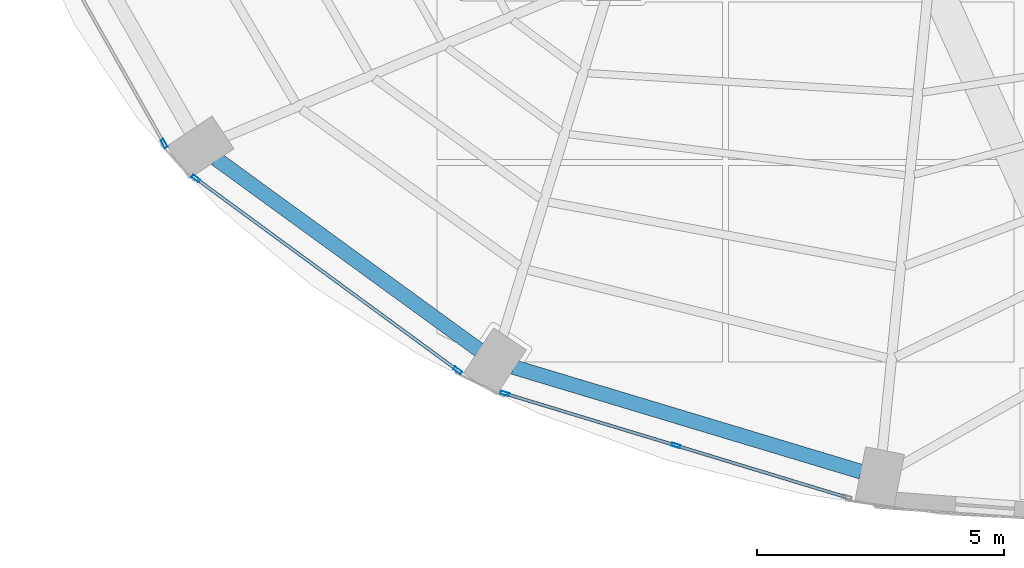
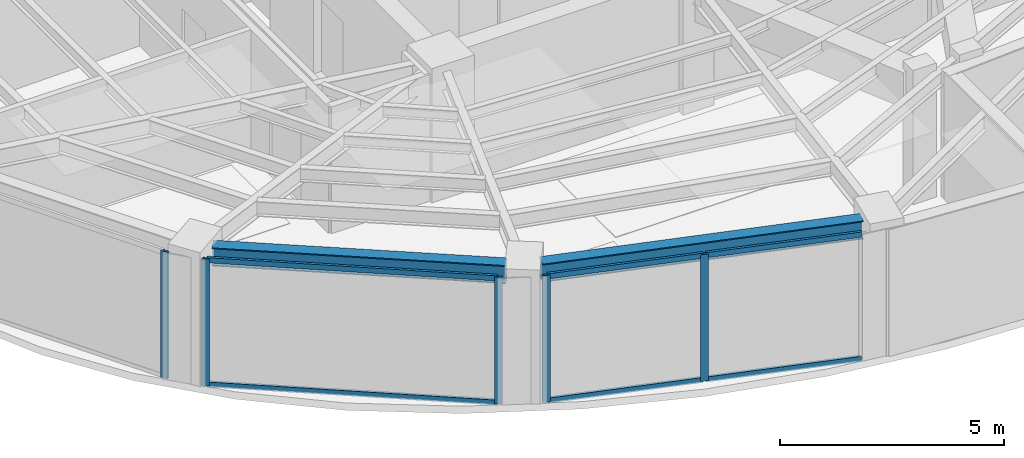
# One storey, part 2 of 23: 11 members, 2 beams, 3 elements without a shape of their own.
"""IFC4 building model written with IfcOpenShell, lengths in metres."""

from ifc_helpers import new_model, si_unit, direction, frame, origin, origin_2d, place, context, subcontext, project, spatial, hollow_rectangle, i_section, extrude, material, layer, layer_set, material_profile, profile_set, type_object, element, aggregate, save


model = new_model("IFC4")

# Units and contexts
model_context = context("Model", 3, precision=1e-05, world=origin(), true_north=direction((0.0, 1.0)))
body_context = subcontext(model_context, "Body", "Model", "MODEL_VIEW")
ifc_project = project(units=[si_unit("LENGTHUNIT", "METRE"), si_unit("AREAUNIT", "SQUARE_METRE"), si_unit("VOLUMEUNIT", "CUBIC_METRE"), si_unit("PLANEANGLEUNIT", "RADIAN"), si_unit("MASSUNIT", "GRAM", prefix="KILO")], contexts=[model_context])

# Site, building, storey
site_placement = place(None, origin())
site = spatial("IfcSite", under=ifc_project, at=site_placement, CompositionType="ELEMENT")
building_placement = place(site_placement, origin())
building = spatial("IfcBuilding", under=site, at=building_placement, Name="Lazwardi Medical Tower", CompositionType="ELEMENT")
storey_placement = place(building_placement, frame((0.0, 0.0, 231.31201171875)))
storey = spatial("IfcBuildingStorey", under=building, at=storey_placement, Name="L60", CompositionType="ELEMENT", Elevation=231.31201171875)

# Beams
ifc_material_1 = material(Name="Steel S355", Category="steel")
ifc_material_profile_1 = material_profile(ifc_material_1, i_section(OverallWidth=0.300048828125, OverallDepth=0.5, WebThickness=0.014404296875, FlangeThickness=0.028076171875, at=origin_2d()), Name="HEB 500")
ifc_profile_set_1 = profile_set([ifc_material_profile_1], Name="Steel S355")
beam_type = type_object("IfcBeamType", Name="BM-RB-Z4", PredefinedType="BEAM", material=ifc_profile_set_1)
beam_1_placement = place(storey_placement, frame((18.355712890625, 16.648193359375, 3.197998046875), z_axis=(0.808889916254, -0.587960120571, 0.0), x_axis=(0.587960120571, 0.808889916254, 0.0)))
element("IfcBeam", 1, at=beam_1_placement, inside=storey, type_object=beam_type, Name="Ring beam RB-05 B14 L60", PredefinedType="BEAM", context=body_context, shape_type="SweptSolid", body=[
    extrude(i_section(OverallWidth=0.300048828125, OverallDepth=0.5, WebThickness=0.014404296875, FlangeThickness=0.028076171875, at=origin_2d()), origin(), (0.0, 0.0, 1.0), 6.587158203125),
])
beam_2_placement = place(storey_placement, frame((24.373046875, 12.43359375, 3.197998046875), z_axis=(0.957544311906, -0.288286126506, 0.0), x_axis=(0.288286126506, 0.957544311906, 0.0)))
element("IfcBeam", 2, at=beam_2_placement, inside=storey, type_object=beam_type, Name="Ring beam RB-05 B15 L60", PredefinedType="BEAM", context=body_context, shape_type="SweptSolid", body=[
    extrude(i_section(OverallWidth=0.300048828125, OverallDepth=0.5, WebThickness=0.014404296875, FlangeThickness=0.028076171875, at=origin_2d()), origin(), (0.0, 0.0, 1.0), 7.3515625),
])

# Curtain wall, member
ifc_material_2 = material(Name="Anodised bronze aluminium and solar control glazing", Category="aluminium")
ifc_layer = layer(ifc_material_2, 0.18994140625)
ifc_layer_set = layer_set([ifc_layer], Name="Anodised bronze aluminium and solar control glazing")
curtain_wall_type = type_object("IfcCurtainWallType", Name="CW-SYS-04", PredefinedType="NOTDEFINED", material=ifc_layer_set)
curtain_wall_1_placement = place(storey_placement, origin())
curtain_wall_1 = element("IfcCurtainWall", 3, at=curtain_wall_1_placement, inside=storey, type_object=curtain_wall_type, Name="L60 Unitised bronze curtain wall CW-04", PredefinedType="NOTDEFINED")
ifc_material_3 = material(Name="Anodised bronze aluminium", Category="aluminium")
ifc_material_profile_2 = material_profile(ifc_material_3, hollow_rectangle(XDim=0.06494140625, YDim=0.179931640625, WallThickness=0.00390625, at=origin_2d()), Name="ALU-MULLION 180x65x4")
ifc_profile_set_2 = profile_set([ifc_material_profile_2], Name="Anodised bronze aluminium")
member_type_1 = type_object("IfcMemberType", Name="CW-MUL-03", PredefinedType="MULLION", material=ifc_profile_set_2)
member_1_placement = place(storey_placement, frame((17.3056640625, 16.95458984375, 0.0), z_axis=(0.0, 0.0, 1.0), x_axis=(0.870651436011, 0.491900474661, 0.0)))
member_1 = element("IfcMember", 4, at=member_1_placement, type_object=member_type_1, Name="CW-04 mullion 2", PredefinedType="MULLION", context=body_context, shape_type="SweptSolid", body=[
    extrude(hollow_rectangle(XDim=0.06494140625, YDim=0.179931640625, WallThickness=0.00390625, at=origin_2d()), origin(), (0.0, 0.0, 1.0), 3.447998046875),
])
aggregate(curtain_wall_1, [member_1])

# Curtain wall, members
curtain_wall_2_placement = place(storey_placement, origin())
curtain_wall_2 = element("IfcCurtainWall", 5, at=curtain_wall_2_placement, inside=storey, type_object=curtain_wall_type, Name="L60 Unitised bronze curtain wall CW-04", PredefinedType="NOTDEFINED")
member_2_placement = place(storey_placement, frame((17.947998046875, 16.248291015625, 0.0), z_axis=(0.0, 0.0, 1.0), x_axis=(0.591268230971, 0.806474971121, 0.0)))
member_2 = element("IfcMember", 6, at=member_2_placement, type_object=member_type_1, Name="CW-04 mullion 1", PredefinedType="MULLION", context=body_context, shape_type="SweptSolid", body=[
    extrude(hollow_rectangle(XDim=0.06494140625, YDim=0.179931640625, WallThickness=0.00390625, at=origin_2d()), origin(), (0.0, 0.0, 1.0), 3.447998046875),
])
member_3_placement = place(storey_placement, frame((23.24462890625, 12.365234375, 0.0), z_axis=(0.0, 0.0, 1.0), x_axis=(0.591268230971, 0.806474971121, 0.0)))
member_3 = element("IfcMember", 7, at=member_3_placement, type_object=member_type_1, Name="CW-04 mullion 2", PredefinedType="MULLION", context=body_context, shape_type="SweptSolid", body=[
    extrude(hollow_rectangle(XDim=0.06494140625, YDim=0.179931640625, WallThickness=0.00390625, at=origin_2d()), origin(), (0.0, 0.0, 1.0), 3.447998046875),
])

curtain_wall_3_placement = place(storey_placement, origin())
curtain_wall_3 = element("IfcCurtainWall", 8, at=curtain_wall_3_placement, inside=storey, type_object=curtain_wall_type, Name="L60 Unitised bronze curtain wall CW-04", PredefinedType="NOTDEFINED")
member_4_placement = place(storey_placement, frame((24.2001953125, 11.896484375, 0.0), z_axis=(0.0, 0.0, 1.0), x_axis=(0.290581889515, 0.956850126972, 0.0)))
member_4 = element("IfcMember", 9, at=member_4_placement, type_object=member_type_1, Name="CW-04 mullion 1", PredefinedType="MULLION", context=body_context, shape_type="SweptSolid", body=[
    extrude(hollow_rectangle(XDim=0.06494140625, YDim=0.179931640625, WallThickness=0.00390625, at=origin_2d()), origin(), (0.0, 0.0, 1.0), 3.447998046875),
])
member_5_placement = place(storey_placement, frame((27.66357421875, 10.8447265625, 0.0), z_axis=(0.0, 0.0, 1.0), x_axis=(0.290581889515, 0.956850126972, 0.0)))
member_5 = element("IfcMember", 10, at=member_5_placement, type_object=member_type_1, Name="CW-04 mullion 2", PredefinedType="MULLION", context=body_context, shape_type="SweptSolid", body=[
    extrude(hollow_rectangle(XDim=0.06494140625, YDim=0.179931640625, WallThickness=0.00390625, at=origin_2d()), origin(), (0.0, 0.0, 1.0), 3.447998046875),
])

# Member
ifc_material_profile_3 = material_profile(ifc_material_3, hollow_rectangle(XDim=0.06494140625, YDim=0.139892578125, WallThickness=0.00341796875, at=origin_2d()), Name="ALU-TRANSOM 140x65x3.5")
ifc_profile_set_3 = profile_set([ifc_material_profile_3], Name="Anodised bronze aluminium")
member_type_2 = type_object("IfcMemberType", Name="CW-TRN-03", PredefinedType="USERDEFINED", material=ifc_profile_set_3)
member_6_placement = place(storey_placement, frame((17.97412109375, 16.229248046875, 0.032470703125), z_axis=(0.806471831148, -0.591272513791, 0.0), x_axis=(0.591272513791, 0.806471831148, 0.0)))
member_6 = element("IfcMember", 11, at=member_6_placement, type_object=member_type_2, Name="CW-04 transom 1.1", ObjectType="TRANSOM", PredefinedType="USERDEFINED", context=body_context, shape_type="SweptSolid", body=[
    extrude(hollow_rectangle(XDim=0.06494140625, YDim=0.139892578125, WallThickness=0.00341796875, at=origin_2d()), origin(), (0.0, 0.0, 1.0), 6.5029296875),
])

member_7_placement = place(storey_placement, frame((17.97412109375, 16.229248046875, 3.41552734375), z_axis=(0.806471831148, -0.591272513791, 0.0), x_axis=(0.591272513791, 0.806471831148, 0.0)))
member_7 = element("IfcMember", 12, at=member_7_placement, type_object=member_type_2, Name="CW-04 transom 1.2", ObjectType="TRANSOM", PredefinedType="USERDEFINED", context=body_context, shape_type="SweptSolid", body=[
    extrude(hollow_rectangle(XDim=0.06494140625, YDim=0.139892578125, WallThickness=0.00341796875, at=origin_2d()), origin(), (0.0, 0.0, 1.0), 6.5029296875),
])

aggregate(curtain_wall_2, [member_2, member_3, member_6, member_7])

member_8_placement = place(storey_placement, frame((24.2314453125, 11.886962890625, 0.032470703125), z_axis=(0.956862505902, -0.290541124109, 0.0), x_axis=(0.290541124109, 0.956862505902, 0.0)))
member_8 = element("IfcMember", 13, at=member_8_placement, type_object=member_type_2, Name="CW-04 transom 1.1", ObjectType="TRANSOM", PredefinedType="USERDEFINED", context=body_context, shape_type="SweptSolid", body=[
    extrude(hollow_rectangle(XDim=0.06494140625, YDim=0.139892578125, WallThickness=0.00341796875, at=origin_2d()), origin(), (0.0, 0.0, 1.0), 3.554443359375),
])

member_9_placement = place(storey_placement, frame((24.2314453125, 11.886962890625, 3.41552734375), z_axis=(0.956862505902, -0.290541124109, 0.0), x_axis=(0.290541124109, 0.956862505902, 0.0)))
member_9 = element("IfcMember", 14, at=member_9_placement, type_object=member_type_2, Name="CW-04 transom 1.2", ObjectType="TRANSOM", PredefinedType="USERDEFINED", context=body_context, shape_type="SweptSolid", body=[
    extrude(hollow_rectangle(XDim=0.06494140625, YDim=0.139892578125, WallThickness=0.00341796875, at=origin_2d()), origin(), (0.0, 0.0, 1.0), 3.554443359375),
])

member_10_placement = place(storey_placement, frame((27.694580078125, 10.835205078125, 0.032470703125), z_axis=(0.956862505902, -0.290541124109, 0.0), x_axis=(0.290541124109, 0.956862505902, 0.0)))
member_10 = element("IfcMember", 15, at=member_10_placement, type_object=member_type_2, Name="CW-04 transom 2.1", ObjectType="TRANSOM", PredefinedType="USERDEFINED", context=body_context, shape_type="SweptSolid", body=[
    extrude(hollow_rectangle(XDim=0.06494140625, YDim=0.139892578125, WallThickness=0.00341796875, at=origin_2d()), origin(), (0.0, 0.0, 1.0), 3.554443359375),
])

member_11_placement = place(storey_placement, frame((27.694580078125, 10.835205078125, 3.41552734375), z_axis=(0.956862505902, -0.290541124109, 0.0), x_axis=(0.290541124109, 0.956862505902, 0.0)))
member_11 = element("IfcMember", 16, at=member_11_placement, type_object=member_type_2, Name="CW-04 transom 2.2", ObjectType="TRANSOM", PredefinedType="USERDEFINED", context=body_context, shape_type="SweptSolid", body=[
    extrude(hollow_rectangle(XDim=0.06494140625, YDim=0.139892578125, WallThickness=0.00341796875, at=origin_2d()), origin(), (0.0, 0.0, 1.0), 3.554443359375),
])

aggregate(curtain_wall_3, [member_4, member_5, member_8, member_9, member_10, member_11])

save(model, "model.ifc")
